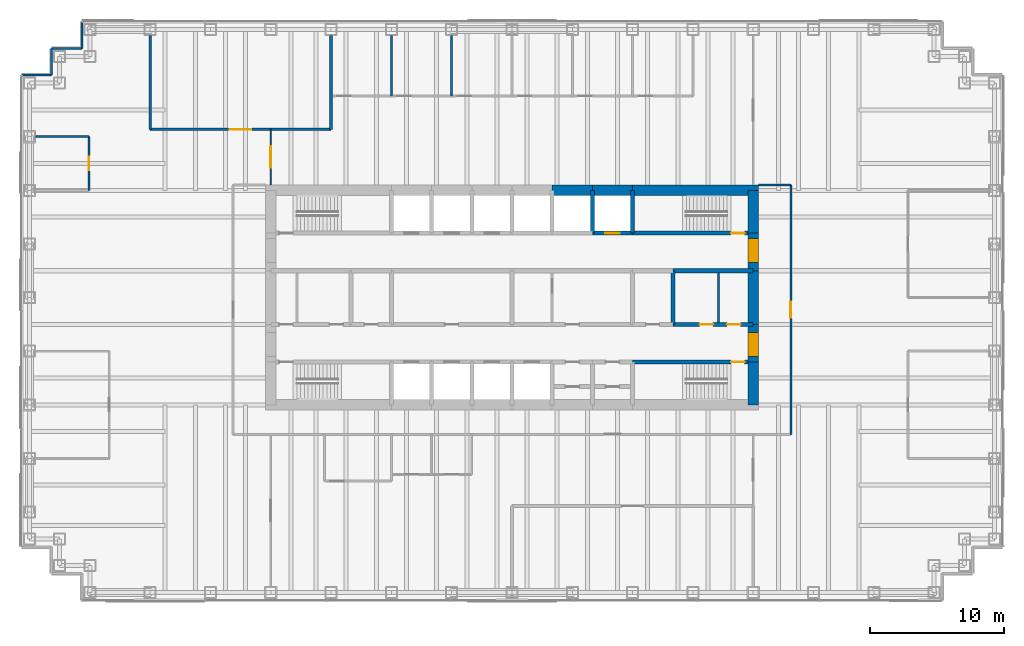
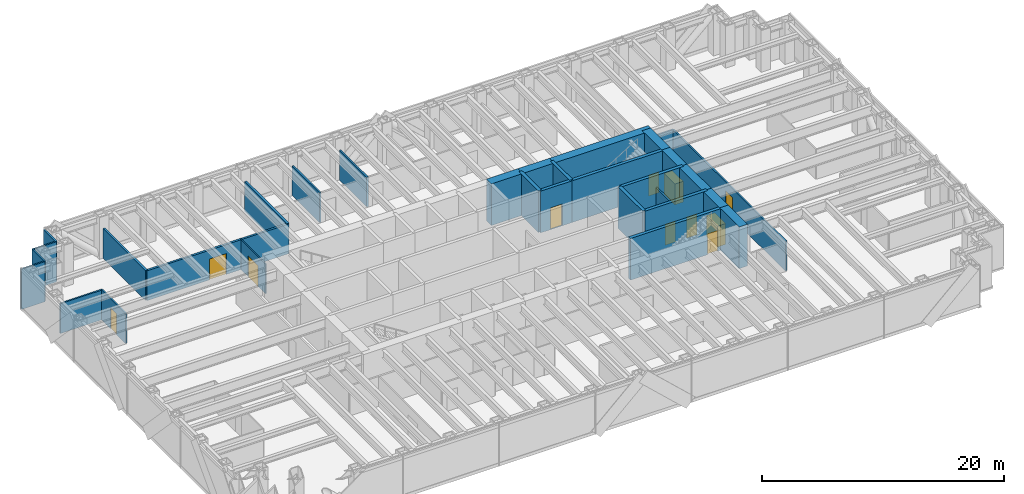
# One storey, part 12 of 14: 31 walls, 11 doors, 11 openings.
"""IFC4 building model written with IfcOpenShell, lengths in metres."""

import ifcopenshell
import ifcopenshell.guid

model = None  # the IFC model being written
_history = None  # IfcOwnerHistory: only IFC2X3 demands one
_inside = {}  # id of a spatial element -> (the spatial element, [elements in it])
_under = {}  # id of a project, library or spatial element -> (it, [spatial elements below it])
_declared = {}  # id of a project -> (the project, [libraries it declares])
_typed = {}  # id of a type object -> (the type object, [elements of that type])
_made_of = {}  # id of a material, layer set ... -> (it, [elements and type objects made of it])


def new_model(schema):
    """Start an empty IFC model of exactly this schema.

    Asked for "IFC4X3", IfcOpenShell would pick the latest addendum, in which some entities
    have other attributes; the version numbers below select the first issue.
    IFC2X3 requires an IfcOwnerHistory on every rooted entity: one is made here for all.
    """
    global model, _history
    if schema == "IFC4X3":
        model = ifcopenshell.file(schema_version=(4, 3, 0, 0))
    else:
        model = ifcopenshell.file(schema=schema)
    _inside.clear()
    _under.clear()
    _declared.clear()
    _typed.clear()
    _made_of.clear()
    _history = None
    if model.schema == "IFC2X3":
        org = make("IfcOrganization", Name="unknown")
        user = make(
            "IfcPersonAndOrganization",
            ThePerson=make("IfcPerson", FamilyName="unknown"),
            TheOrganization=org,
        )
        app = make(
            "IfcApplication",
            ApplicationDeveloper=org,
            Version="unknown",
            ApplicationFullName="unknown",
            ApplicationIdentifier="unknown",
        )
        _history = make(
            "IfcOwnerHistory",
            OwningUser=user,
            OwningApplication=app,
            ChangeAction="ADDED",
            CreationDate=0,
        )
    return model


def make(cls, **values):
    """One entity of the class cls with the attributes given. An attribute that is None is left unset."""
    return model.create_entity(
        cls, **{name: value for name, value in values.items() if value is not None}
    )


def rooted(cls, **values):
    """An entity with a GlobalId (a new one), such as an element, a storey or a relation."""
    return make(cls, GlobalId=ifcopenshell.guid.new(), OwnerHistory=_history, **values)


def si_unit(unit_type, name, prefix=None):
    """IfcSIUnit, for example si_unit("LENGTHUNIT", "METRE", prefix="MILLI")."""
    return make("IfcSIUnit", UnitType=unit_type, Prefix=prefix, Name=name)


def assignment(units):
    """IfcUnitAssignment: the units of a project."""
    return None if units is None else make("IfcUnitAssignment", Units=units)


def point(xyz):
    """IfcCartesianPoint."""
    return None if xyz is None else make("IfcCartesianPoint", Coordinates=xyz)


def direction(xyz):
    """IfcDirection."""
    return None if xyz is None else make("IfcDirection", DirectionRatios=xyz)


def frame(location, z_axis=None, x_axis=None):
    """IfcAxis2Placement3D, a coordinate frame: its origin and axes. An axis left out is left unset."""
    return make(
        "IfcAxis2Placement3D",
        Location=point(location),
        Axis=direction(z_axis),
        RefDirection=direction(x_axis),
    )


def frame_2d(location, x_axis=None):
    """IfcAxis2Placement2D, a coordinate frame in the plane: its origin and x axis."""
    return make(
        "IfcAxis2Placement2D", Location=point(location), RefDirection=direction(x_axis)
    )


def origin():
    """The frame at (0, 0, 0) with its axes left unset."""
    return frame((0.0, 0.0, 0.0))


def place(relative_to, where):
    """IfcLocalPlacement: puts the frame where relative to a parent placement (None: the world)."""
    return make(
        "IfcLocalPlacement", PlacementRelTo=relative_to, RelativePlacement=where
    )


def context(
    kind, dimensions, precision=None, world=None, true_north=None, identifier=None
):
    """IfcGeometricRepresentationContext, for example the 3D "Model" context."""
    return make(
        "IfcGeometricRepresentationContext",
        ContextIdentifier=identifier,
        ContextType=kind,
        CoordinateSpaceDimension=dimensions,
        Precision=precision,
        WorldCoordinateSystem=world,
        TrueNorth=true_north,
    )


def subcontext(parent, identifier, kind, view, scale=None):
    """IfcGeometricRepresentationSubContext, for example "Body" below "Model"."""
    return make(
        "IfcGeometricRepresentationSubContext",
        ContextIdentifier=identifier,
        ContextType=kind,
        ParentContext=parent,
        TargetScale=scale,
        TargetView=view,
    )


def project(units=None, contexts=None):
    """IfcProject with its units and contexts."""
    return rooted(
        "IfcProject",
        Name="project",
        RepresentationContexts=contexts,
        UnitsInContext=assignment(units),
    )


def spatial(cls, under=None, at=None, **own):
    """A site, building, storey or space (cls), placed at a placement, below another one or the project."""
    s = rooted(cls, ObjectPlacement=at, **own)
    if under is not None:
        _under.setdefault(under.id(), (under, []))[1].append(s)
    return s


def profile(cls, at=None, kind="AREA", **sizes):
    """A parametric profile (cls). Its sizes go by their IFC names, for example OverallWidth=200.0."""
    return make(cls, ProfileType=kind, Position=at, **sizes)


def rectangle(**sizes):
    """IfcRectangleProfileDef."""
    return profile("IfcRectangleProfileDef", **sizes)


def extrude(swept, where, along, depth):
    """IfcExtrudedAreaSolid: the profile swept, set in the frame where, extruded along a direction by depth."""
    return make(
        "IfcExtrudedAreaSolid",
        SweptArea=swept,
        Position=where,
        ExtrudedDirection=direction(along),
        Depth=depth,
    )


def shape(context_of_items, identifier, shape_type, items):
    """IfcShapeRepresentation: the items that make up one representation, for example the "Body"."""
    return make(
        "IfcShapeRepresentation",
        ContextOfItems=context_of_items,
        RepresentationIdentifier=identifier,
        RepresentationType=shape_type,
        Items=items,
    )


def material(Name=None, Category=None):
    """IfcMaterial."""
    return make("IfcMaterial", Name=Name, Category=Category)


def layer(
    of_material, thickness, ventilated=None, Name=None, Category=None, Priority=None
):
    """IfcMaterialLayer: one layer of a wall or slab, of a material (None: an air gap)."""
    return make(
        "IfcMaterialLayer",
        Material=of_material,
        LayerThickness=thickness,
        IsVentilated=ventilated,
        Name=Name,
        Category=Category,
        Priority=Priority,
    )


def layer_set(layers, Name=None):
    """IfcMaterialLayerSet."""
    return make("IfcMaterialLayerSet", MaterialLayers=layers, LayerSetName=Name)


def made_of(thing, what):
    """Note that an element or type object is made of a material, layer set ...; save() writes the relation."""
    if what is not None:
        _made_of.setdefault(what.id(), (what, []))[1].append(thing)
    return thing


def type_object(cls, material=None, **own):
    """A type object (cls), such as IfcWallType, which elements share."""
    return made_of(rooted(cls, **own), material)


def element(
    cls,
    number,
    at=None,
    inside=None,
    cuts=None,
    type_object=None,
    material=None,
    context=None,
    identifier="Body",
    shape_type=None,
    held_by="IfcProductDefinitionShape",
    body=None,
    shapes=None,
    **own,
):
    """One element of the class cls, such as IfcWall. Its Tag is "e" and its number.

    at: its placement. inside: the storey or other place that contains it. cuts: it is an
    opening in that element (IfcRelVoidsElement). A single representation is given by context,
    identifier, shape_type and body (its items); several are given by shapes. held_by: the class
    of the entity that holds the representations. save() writes the other relations.
    """
    e = rooted(cls, Tag="e%d" % number, ObjectPlacement=at, **own)
    if body is not None:
        shapes = [shape(context, identifier, shape_type, body)]
    if shapes is not None:
        e.Representation = make(held_by, Representations=shapes)
    if inside is not None:
        _inside.setdefault(inside.id(), (inside, []))[1].append(e)
    if cuts is not None:
        rooted(
            "IfcRelVoidsElement", RelatingBuildingElement=cuts, RelatedOpeningElement=e
        )
    if type_object is not None:
        _typed.setdefault(type_object.id(), (type_object, []))[1].append(e)
    return made_of(e, material)


def fill(opening, filler):
    """IfcRelFillsElement: the door or window that sits in an opening."""
    return rooted(
        "IfcRelFillsElement",
        RelatingOpeningElement=opening,
        RelatedBuildingElement=filler,
    )


def aggregate(whole, parts):
    """IfcRelAggregates: a whole, such as a stair, and the parts it consists of."""
    return rooted("IfcRelAggregates", RelatingObject=whole, RelatedObjects=parts)


def save(model, path):
    """Write the relations noted so far, then the file.

    IfcRelAggregates (storeys below a building ...), IfcRelContainedInSpatialStructure (elements
    in a storey), IfcRelDefinesByType, IfcRelAssociatesMaterial and IfcRelDeclares: one each for
    every whole, place, type object, material and project.
    """
    for whole, parts in _under.values():
        aggregate(whole, parts)
    for where, things in _inside.values():
        rooted(
            "IfcRelContainedInSpatialStructure",
            RelatedElements=things,
            RelatingStructure=where,
        )
    for kind, things in _typed.values():
        rooted("IfcRelDefinesByType", RelatedObjects=things, RelatingType=kind)
    for what, things in _made_of.values():
        rooted("IfcRelAssociatesMaterial", RelatedObjects=things, RelatingMaterial=what)
    for by, libraries in _declared.values():
        rooted("IfcRelDeclares", RelatingContext=by, RelatedDefinitions=libraries)
    model.write(path)


model = new_model("IFC4")

# Units and contexts
model_context = context("Model", 3, precision=1e-05, world=origin(), true_north=direction((0.0, 1.0)))
body_context = subcontext(model_context, "Body", "Model", "MODEL_VIEW")
ifc_project = project(units=[si_unit("LENGTHUNIT", "METRE"), si_unit("AREAUNIT", "SQUARE_METRE"), si_unit("VOLUMEUNIT", "CUBIC_METRE"), si_unit("PLANEANGLEUNIT", "RADIAN"), si_unit("MASSUNIT", "GRAM", prefix="KILO")], contexts=[model_context])

# Site, building, storey
site_placement = place(None, origin())
site = spatial("IfcSite", under=ifc_project, at=site_placement, CompositionType="ELEMENT")
building_placement = place(site_placement, origin())
building = spatial("IfcBuilding", under=site, at=building_placement, Name="Rheinbord Bourse Tower", CompositionType="ELEMENT")
storey_placement = place(building_placement, frame((0.0, 0.0, 240.39990234375)))
storey = spatial("IfcBuildingStorey", under=building, at=storey_placement, Name="L54", CompositionType="ELEMENT", Elevation=240.39990234375)

# Wall, opening, door
ifc_material_1 = material(Name="Acoustic gypsum board partition", Category="gypsum board")
ifc_layer_1 = layer(ifc_material_1, 0.199951171875)
ifc_layer_set_1 = layer_set([ifc_layer_1], Name="ACOUSTIC PARTITION 200")
wall_type_1 = type_object("IfcWallType", Name="ACOUSTIC PARTITION 200", PredefinedType="PARTITIONING", material=ifc_layer_set_1)
wall_1_placement = place(storey_placement, frame((9.0, 36.550048828125, 0.0), z_axis=(0.0, 0.0, 1.0), x_axis=(1.0, 0.0, 0.0)))
wall_1 = element("IfcWall", 1, at=wall_1_placement, inside=storey, type_object=wall_type_1, Name="Partition L54-17", PredefinedType="PARTITIONING", context=body_context, shape_type="SweptSolid", body=[
    extrude(rectangle(XDim=13.5, YDim=0.199951171875, at=frame_2d((6.75, 0.0))), origin(), (0.0, 0.0, 1.0), 3.0),
])
opening_1_placement = place(wall_1_placement, frame((5.949951171875, 0.0, 0.0)))
opening_1 = element("IfcOpeningElement", 2, at=opening_1_placement, cuts=wall_1, Name="Opening 54D09", PredefinedType="OPENING", context=body_context, shape_type="SweptSolid", body=[
    extrude(rectangle(XDim=1.60009765625, YDim=2.10009765625, at=frame_2d((0.800048828125, 1.050048828125))), frame((0.0, 0.10986328125, 0.0), z_axis=(0.0, -1.0, 0.0), x_axis=(1.0, 0.0, 0.0)), (0.0, 0.0, 1.0), 0.219970703125),
])
ifc_material_2 = material(Name="Timber door", Category="wood")
door_type_1 = type_object("IfcDoorType", Name="DOUBLE ROOM DOOR 1600", OperationType="DOUBLE_DOOR_DOUBLE_SWING", PredefinedType="DOOR", material=ifc_material_2)
door_1_placement = place(opening_1_placement, origin())
door_1 = element("IfcDoor", 3, at=door_1_placement, inside=storey, type_object=door_type_1, Name="Board room door L54", OperationType="SINGLE_SWING_LEFT", OverallHeight=2.10009765625, OverallWidth=1.60009765625, PredefinedType="DOOR", context=body_context, shape_type="SweptSolid", body=[
    extrude(rectangle(XDim=1.60009765625, YDim=2.10009765625, at=frame_2d((0.800048828125, 1.050048828125))), frame((0.0, 0.02490234375, 0.0), z_axis=(0.0, -1.0, 0.0), x_axis=(1.0, 0.0, 0.0)), (0.0, 0.0, 1.0), 0.050048828125),
])
fill(opening_1, door_1)

# Walls
for number, where, z_axis, x_axis, name in (
    (4, (9.0, 36.550048828125, 0.0), (0.0, 0.0, 1.0), (0.0, 1.0, 0.0), "Partition L54-21"),
    (5, (22.5, 36.550048828125, 0.0), (0.0, 0.0, 1.0), (0.0, 1.0, 0.0), "Partition L54-26"),
):
    element("IfcWall", number, at=place(storey_placement, frame(where, z_axis=z_axis, x_axis=x_axis)), inside=storey, type_object=wall_type_1, Name=name, PredefinedType="PARTITIONING", context=body_context, shape_type="SweptSolid", body=[
        extrude(rectangle(XDim=7.0, YDim=0.199951171875, at=frame_2d((3.5, 0.0))), origin(), (0.0, 0.0, 1.0), 3.0),
    ])

# Wall, opening, door
ifc_material_3 = material(Name="Concrete C50/60", Category="concrete")
ifc_layer_2 = layer(ifc_material_3, 0.300048828125)
ifc_layer_set_2 = layer_set([ifc_layer_2], Name="CORE INNER WALL 300")
wall_type_2 = type_object("IfcWallType", Name="CORE INNER WALL 300", PredefinedType="SOLIDWALL", material=ifc_layer_set_2)
wall_2_placement = place(storey_placement, frame((45.0, 19.199951171875, 0.0), z_axis=(0.0, 0.0, 1.0), x_axis=(1.0, 0.0, 0.0)))
wall_2 = element("IfcWall", 6, at=wall_2_placement, inside=storey, type_object=wall_type_2, Name="Core wall A8 L54", PredefinedType="SOLIDWALL", context=body_context, shape_type="SweptSolid", body=[
    extrude(rectangle(XDim=9.0, YDim=0.300048828125, at=frame_2d((4.5, 0.0))), origin(), (0.0, 0.0, 1.0), 4.2001953125),
])
opening_2_placement = place(wall_2_placement, frame((7.35009765625, 0.0, 0.0)))
opening_2 = element("IfcOpeningElement", 7, at=opening_2_placement, cuts=wall_2, Name="Opening 5430", PredefinedType="OPENING", context=body_context, shape_type="SweptSolid", body=[
    extrude(rectangle(XDim=1.0, YDim=2.10009765625, at=frame_2d((0.5, 1.050048828125))), frame((0.0, 0.159912109375, 0.0), z_axis=(0.0, -1.0, 0.0), x_axis=(1.0, 0.0, 0.0)), (0.0, 0.0, 1.0), 0.320068359375),
])
ifc_material_4 = material(Name="Steel door", Category="steel")
door_type_2 = type_object("IfcDoorType", Name="DOOR 1000 EI30", OperationType="SINGLE_SWING_LEFT", PredefinedType="DOOR", material=ifc_material_4)
door_2_placement = place(opening_2_placement, origin())
door_2 = element("IfcDoor", 8, at=door_2_placement, inside=storey, type_object=door_type_2, Name="Stair door ST3 L54", OperationType="SINGLE_SWING_RIGHT", OverallHeight=2.10009765625, OverallWidth=1.0, PredefinedType="DOOR", context=body_context, shape_type="SweptSolid", body=[
    extrude(rectangle(XDim=1.0, YDim=2.10009765625, at=frame_2d((0.5, 1.050048828125))), frame((0.0, 0.02490234375, 0.0), z_axis=(0.0, -1.0, 0.0), x_axis=(1.0, 0.0, 0.0)), (0.0, 0.0, 1.0), 0.050048828125),
])
fill(opening_2, door_2)

wall_3_placement = place(storey_placement, frame((42.0, 28.800048828125, 0.0), z_axis=(0.0, 0.0, 1.0), x_axis=(1.0, 0.0, 0.0)))
wall_3 = element("IfcWall", 9, at=wall_3_placement, inside=storey, type_object=wall_type_2, Name="Core wall B7 L54", PredefinedType="SOLIDWALL", context=body_context, shape_type="SweptSolid", body=[
    extrude(rectangle(XDim=3.0, YDim=0.300048828125, at=frame_2d((1.5, 0.0))), origin(), (0.0, 0.0, 1.0), 4.2001953125),
])
opening_3_placement = place(wall_3_placement, frame((0.949951171875, 0.0, 0.0)))
opening_3 = element("IfcOpeningElement", 10, at=opening_3_placement, cuts=wall_3, Name="Opening FL2", PredefinedType="OPENING", context=body_context, shape_type="SweptSolid", body=[
    extrude(rectangle(XDim=1.10009765625, YDim=2.199951171875, at=frame_2d((0.550048828125, 1.10009765625))), frame((0.0, 0.159912109375, 0.0), z_axis=(0.0, -1.0, 0.0), x_axis=(1.0, 0.0, 0.0)), (0.0, 0.0, 1.0), 0.320068359375),
])
ifc_material_5 = material(Name="Steel landing door", Category="steel")
door_type_3 = type_object("IfcDoorType", Name="LIFT LANDING DOOR 1100", OperationType="DOUBLE_DOOR_SLIDING", PredefinedType="USERDEFINED", material=ifc_material_5)
door_3_placement = place(opening_3_placement, origin())
door_3 = element("IfcDoor", 11, at=door_3_placement, inside=storey, type_object=door_type_3, Name="Lift landing door FL2 L54", ObjectType="LIFT LANDING DOOR", OperationType="DOUBLE_DOOR_SLIDING", OverallHeight=2.199951171875, OverallWidth=1.10009765625, PredefinedType="USERDEFINED", context=body_context, shape_type="SweptSolid", body=[
    extrude(rectangle(XDim=1.10009765625, YDim=2.199951171875, at=frame_2d((0.550048828125, 1.10009765625))), frame((0.0, 0.02490234375, 0.0), z_axis=(0.0, -1.0, 0.0), x_axis=(1.0, 0.0, 0.0)), (0.0, 0.0, 1.0), 0.050048828125),
])
fill(opening_3, door_3)

wall_4_placement = place(storey_placement, frame((45.0, 28.800048828125, 0.0), z_axis=(0.0, 0.0, 1.0), x_axis=(1.0, 0.0, 0.0)))
wall_4 = element("IfcWall", 12, at=wall_4_placement, inside=storey, type_object=wall_type_2, Name="Core wall B8 L54", PredefinedType="SOLIDWALL", context=body_context, shape_type="SweptSolid", body=[
    extrude(rectangle(XDim=9.0, YDim=0.300048828125, at=frame_2d((4.5, 0.0))), origin(), (0.0, 0.0, 1.0), 4.2001953125),
])
opening_4_placement = place(wall_4_placement, frame((7.35009765625, 0.0, 0.0)))
opening_4 = element("IfcOpeningElement", 13, at=opening_4_placement, cuts=wall_4, Name="Opening 5440", PredefinedType="OPENING", context=body_context, shape_type="SweptSolid", body=[
    extrude(rectangle(XDim=1.0, YDim=2.10009765625, at=frame_2d((0.5, 1.050048828125))), frame((0.0, 0.159912109375, 0.0), z_axis=(0.0, -1.0, 0.0), x_axis=(1.0, 0.0, 0.0)), (0.0, 0.0, 1.0), 0.320068359375),
])
door_4_placement = place(opening_4_placement, origin())
door_4 = element("IfcDoor", 14, at=door_4_placement, inside=storey, type_object=door_type_2, Name="Stair door ST4 L54", OperationType="SINGLE_SWING_RIGHT", OverallHeight=2.10009765625, OverallWidth=1.0, PredefinedType="DOOR", context=body_context, shape_type="SweptSolid", body=[
    extrude(rectangle(XDim=1.0, YDim=2.10009765625, at=frame_2d((0.5, 1.050048828125))), frame((0.0, 0.02490234375, 0.0), z_axis=(0.0, -1.0, 0.0), x_axis=(1.0, 0.0, 0.0)), (0.0, 0.0, 1.0), 0.050048828125),
])
fill(opening_4, door_4)

# Wall, openings, doors
wall_5_placement = place(storey_placement, frame((48.0, 22.0, 0.0), z_axis=(0.0, 0.0, 1.0), x_axis=(1.0, 0.0, 0.0)))
wall_5 = element("IfcWall", 15, at=wall_5_placement, inside=storey, type_object=wall_type_2, Name="Core wall C6 L54", PredefinedType="SOLIDWALL", context=body_context, shape_type="SweptSolid", body=[
    extrude(rectangle(XDim=6.0, YDim=0.300048828125, at=frame_2d((3.0, 0.0))), origin(), (0.0, 0.0, 1.0), 4.2001953125),
])
opening_5_placement = place(wall_5_placement, frame((2.0, 0.0, 0.0)))
opening_5 = element("IfcOpeningElement", 16, at=opening_5_placement, cuts=wall_5, Name="Opening 54R6", PredefinedType="OPENING", context=body_context, shape_type="SweptSolid", body=[
    extrude(rectangle(XDim=1.0, YDim=2.10009765625, at=frame_2d((0.5, 1.050048828125))), frame((0.0, 0.159912109375, 0.0), z_axis=(0.0, -1.0, 0.0), x_axis=(1.0, 0.0, 0.0)), (0.0, 0.0, 1.0), 0.320068359375),
])
opening_6_placement = place(wall_5_placement, frame((4.050048828125, 0.0, 0.0)))
opening_6 = element("IfcOpeningElement", 17, at=opening_6_placement, cuts=wall_5, Name="Opening 54R10", PredefinedType="OPENING", context=body_context, shape_type="SweptSolid", body=[
    extrude(rectangle(XDim=1.0, YDim=2.10009765625, at=frame_2d((0.5, 1.050048828125))), frame((0.0, 0.159912109375, 0.0), z_axis=(0.0, -1.0, 0.0), x_axis=(1.0, 0.0, 0.0)), (0.0, 0.0, 1.0), 0.320068359375),
])
door_5_placement = place(opening_6_placement, origin())
door_5 = element("IfcDoor", 18, at=door_5_placement, inside=storey, type_object=door_type_2, Name="Baby change door L54", OperationType="SINGLE_SWING_RIGHT", OverallHeight=2.10009765625, OverallWidth=1.0, PredefinedType="DOOR", context=body_context, shape_type="SweptSolid", body=[
    extrude(rectangle(XDim=1.0, YDim=2.10009765625, at=frame_2d((0.5, 1.050048828125))), frame((0.0, 0.02490234375, 0.0), z_axis=(0.0, -1.0, 0.0), x_axis=(1.0, 0.0, 0.0)), (0.0, 0.0, 1.0), 0.050048828125),
])
fill(opening_6, door_5)
ifc_material_6 = material(Name="Timber door", Category="wood")
door_type_4 = type_object("IfcDoorType", Name="DOOR 1000 WC", OperationType="SINGLE_SWING_LEFT", PredefinedType="DOOR", material=ifc_material_6)
door_6_placement = place(opening_5_placement, origin())
door_6 = element("IfcDoor", 19, at=door_6_placement, inside=storey, type_object=door_type_4, Name="WC women door L54", OperationType="SINGLE_SWING_LEFT", OverallHeight=2.10009765625, OverallWidth=1.0, PredefinedType="DOOR", context=body_context, shape_type="SweptSolid", body=[
    extrude(rectangle(XDim=1.0, YDim=2.10009765625, at=frame_2d((0.5, 1.050048828125))), frame((0.0, 0.02490234375, 0.0), z_axis=(0.0, -1.0, 0.0), x_axis=(1.0, 0.0, 0.0)), (0.0, 0.0, 1.0), 0.050048828125),
])
fill(opening_5, door_6)

# Walls
wall_6_placement = place(storey_placement, frame((48.0, 26.0, 0.0), z_axis=(0.0, 0.0, 1.0), x_axis=(1.0, 0.0, 0.0)))
element("IfcWall", 20, at=wall_6_placement, inside=storey, type_object=wall_type_2, Name="Core wall D6 L54", PredefinedType="SOLIDWALL", context=body_context, shape_type="SweptSolid", body=[
    extrude(rectangle(XDim=6.0, YDim=0.300048828125, at=frame_2d((3.0, 0.0))), origin(), (0.0, 0.0, 1.0), 4.2001953125),
])
for number, where, z_axis, x_axis, name in (
    (21, (42.0, 28.800048828125, 0.0), (0.0, 0.0, 1.0), (0.0, 1.0, 0.0), "Core wall NX42 L54"),
    (22, (45.0, 28.800048828125, 0.0), (0.0, 0.0, 1.0), (0.0, 1.0, 0.0), "Core wall NX45 L54"),
):
    element("IfcWall", number, at=place(storey_placement, frame(where, z_axis=z_axis, x_axis=x_axis)), inside=storey, type_object=wall_type_2, Name=name, PredefinedType="SOLIDWALL", context=body_context, shape_type="SweptSolid", body=[
        extrude(rectangle(XDim=3.199951171875, YDim=0.300048828125, at=frame_2d((1.60009765625, 0.0))), origin(), (0.0, 0.0, 1.0), 4.2001953125),
    ])
wall_7_placement = place(storey_placement, frame((48.0, 22.0, 0.0), z_axis=(0.0, 0.0, 1.0), x_axis=(0.0, 1.0, 0.0)))
element("IfcWall", 23, at=wall_7_placement, inside=storey, type_object=wall_type_2, Name="Core wall MX48 L54", PredefinedType="SOLIDWALL", context=body_context, shape_type="SweptSolid", body=[
    extrude(rectangle(XDim=4.0, YDim=0.300048828125, at=frame_2d((2.0, 0.0))), origin(), (0.0, 0.0, 1.0), 4.2001953125),
])
ifc_material_7 = material(Name="Gypsum board fire partition", Category="gypsum board")
ifc_layer_3 = layer(ifc_material_7, 0.14990234375)
ifc_layer_set_3 = layer_set([ifc_layer_3], Name="CORE PARTITION 150 EI30")
wall_type_3 = type_object("IfcWallType", Name="CORE PARTITION 150 EI30", PredefinedType="PARTITIONING", material=ifc_layer_set_3)
wall_8_placement = place(storey_placement, frame((51.425048828125, 22.14990234375, 0.0), z_axis=(0.0, 0.0, 1.0), x_axis=(0.0, 1.0, 0.0)))
element("IfcWall", 24, at=wall_8_placement, inside=storey, type_object=wall_type_3, Name="Core partition L54-3", PredefinedType="PARTITIONING", context=body_context, shape_type="SweptSolid", body=[
    extrude(rectangle(XDim=3.7001953125, YDim=0.14990234375, at=frame_2d((1.85009765625, 0.0))), origin(), (0.0, 0.0, 1.0), 3.0),
])
ifc_material_8 = material(Name="Concrete C50/60", Category="concrete")
ifc_layer_4 = layer(ifc_material_8, 0.800048828125)
ifc_layer_set_4 = layer_set([ifc_layer_4], Name="CORE WALL 800")
wall_type_4 = type_object("IfcWallType", Name="CORE WALL 800", PredefinedType="SHEAR", material=ifc_layer_set_4)
wall_9_placement = place(storey_placement, frame((54.39990234375, 32.0, 0.0), z_axis=(0.0, 0.0, 1.0), x_axis=(-1.0, 0.0, 0.0)))
element("IfcWall", 25, at=wall_9_placement, inside=storey, type_object=wall_type_4, Name="Core wall N1 L54", PredefinedType="SHEAR", context=body_context, shape_type="SweptSolid", body=[
    extrude(rectangle(XDim=9.39990234375, YDim=0.800048828125, at=frame_2d((4.699951171875, 0.0))), origin(), (0.0, 0.0, 1.0), 4.2001953125),
])
for number, where, z_axis, x_axis, name in (
    (26, (45.0, 32.0, 0.0), (0.0, 0.0, 1.0), (-1.0, 0.0, 0.0), "Core wall N2 L54"),
    (27, (42.0, 32.0, 0.0), (0.0, 0.0, 1.0), (-1.0, 0.0, 0.0), "Core wall N3 L54"),
):
    element("IfcWall", number, at=place(storey_placement, frame(where, z_axis=z_axis, x_axis=x_axis)), inside=storey, type_object=wall_type_4, Name=name, PredefinedType="SHEAR", context=body_context, shape_type="SweptSolid", body=[
        extrude(rectangle(XDim=3.0, YDim=0.800048828125, at=frame_2d((1.5, 0.0))), origin(), (0.0, 0.0, 1.0), 4.2001953125),
    ])
wall_10_placement = place(storey_placement, frame((54.0, 16.0, 0.0), z_axis=(0.0, 0.0, 1.0), x_axis=(0.0, 1.0, 0.0)))
element("IfcWall", 28, at=wall_10_placement, inside=storey, type_object=wall_type_4, Name="Core wall E1 L54", PredefinedType="SHEAR", context=body_context, shape_type="SweptSolid", body=[
    extrude(rectangle(XDim=3.199951171875, YDim=0.800048828125, at=frame_2d((1.60009765625, 0.0))), origin(), (0.0, 0.0, 1.0), 4.2001953125),
])

# Wall, opening, door
wall_11_placement = place(storey_placement, frame((54.0, 19.199951171875, 0.0), z_axis=(0.0, 0.0, 1.0), x_axis=(0.0, 1.0, 0.0)))
wall_11 = element("IfcWall", 29, at=wall_11_placement, inside=storey, type_object=wall_type_4, Name="Core wall E2 L54", PredefinedType="SHEAR", context=body_context, shape_type="SweptSolid", body=[
    extrude(rectangle(XDim=2.800048828125, YDim=0.800048828125, at=frame_2d((1.39990234375, 0.0))), origin(), (0.0, 0.0, 1.0), 4.2001953125),
])
opening_7_placement = place(wall_11_placement, frame((0.39990234375, 0.0, 0.0)))
opening_7 = element("IfcOpeningElement", 30, at=opening_7_placement, cuts=wall_11, Name="Opening 54L3", PredefinedType="OPENING", context=body_context, shape_type="SweptSolid", body=[
    extrude(rectangle(XDim=1.800048828125, YDim=2.10009765625, at=frame_2d((0.89990234375, 1.050048828125))), frame((0.0, 0.409912109375, 0.0), z_axis=(0.0, -1.0, 0.0), x_axis=(1.0, 0.0, 0.0)), (0.0, 0.0, 1.0), 0.820068359375),
])
ifc_material_9 = material(Name="Steel door", Category="steel")
door_type_5 = type_object("IfcDoorType", Name="DOOR 1800 EI30 DOUBLE", OperationType="DOUBLE_DOOR_DOUBLE_SWING", PredefinedType="DOOR", material=ifc_material_9)
door_7_placement = place(opening_7_placement, origin())
door_7 = element("IfcDoor", 31, at=door_7_placement, inside=storey, type_object=door_type_5, Name="Lobby door 3 L54", OperationType="SINGLE_SWING_LEFT", OverallHeight=2.10009765625, OverallWidth=1.800048828125, PredefinedType="DOOR", context=body_context, shape_type="SweptSolid", body=[
    extrude(rectangle(XDim=1.800048828125, YDim=2.10009765625, at=frame_2d((0.89990234375, 1.050048828125))), frame((0.0, 0.39990234375, 0.0), z_axis=(0.0, -1.0, 0.0), x_axis=(1.0, 0.0, 0.0)), (0.0, 0.0, 1.0), 0.799560546875),
])
fill(opening_7, door_7)

# Wall
wall_12_placement = place(storey_placement, frame((54.0, 22.0, 0.0), z_axis=(0.0, 0.0, 1.0), x_axis=(0.0, 1.0, 0.0)))
element("IfcWall", 32, at=wall_12_placement, inside=storey, type_object=wall_type_4, Name="Core wall E3 L54", PredefinedType="SHEAR", context=body_context, shape_type="SweptSolid", body=[
    extrude(rectangle(XDim=4.0, YDim=0.800048828125, at=frame_2d((2.0, 0.0))), origin(), (0.0, 0.0, 1.0), 4.2001953125),
])

# Wall, opening, door
wall_13_placement = place(storey_placement, frame((54.0, 26.0, 0.0), z_axis=(0.0, 0.0, 1.0), x_axis=(0.0, 1.0, 0.0)))
wall_13 = element("IfcWall", 33, at=wall_13_placement, inside=storey, type_object=wall_type_4, Name="Core wall E4 L54", PredefinedType="SHEAR", context=body_context, shape_type="SweptSolid", body=[
    extrude(rectangle(XDim=2.800048828125, YDim=0.800048828125, at=frame_2d((1.39990234375, 0.0))), origin(), (0.0, 0.0, 1.0), 4.2001953125),
])
opening_8_placement = place(wall_13_placement, frame((0.60009765625, 0.0, 0.0)))
opening_8 = element("IfcOpeningElement", 34, at=opening_8_placement, cuts=wall_13, Name="Opening 54L4", PredefinedType="OPENING", context=body_context, shape_type="SweptSolid", body=[
    extrude(rectangle(XDim=1.800048828125, YDim=2.10009765625, at=frame_2d((0.89990234375, 1.050048828125))), frame((0.0, 0.409912109375, 0.0), z_axis=(0.0, -1.0, 0.0), x_axis=(1.0, 0.0, 0.0)), (0.0, 0.0, 1.0), 0.820068359375),
])
door_8_placement = place(opening_8_placement, origin())
door_8 = element("IfcDoor", 35, at=door_8_placement, inside=storey, type_object=door_type_5, Name="Lobby door 4 L54", OperationType="SINGLE_SWING_LEFT", OverallHeight=2.10009765625, OverallWidth=1.800048828125, PredefinedType="DOOR", context=body_context, shape_type="SweptSolid", body=[
    extrude(rectangle(XDim=1.800048828125, YDim=2.10009765625, at=frame_2d((0.89990234375, 1.050048828125))), frame((0.0, 0.39990234375, 0.0), z_axis=(0.0, -1.0, 0.0), x_axis=(1.0, 0.0, 0.0)), (0.0, 0.0, 1.0), 0.799560546875),
])
fill(opening_8, door_8)

# Walls
wall_14_placement = place(storey_placement, frame((54.0, 28.800048828125, 0.0), z_axis=(0.0, 0.0, 1.0), x_axis=(0.0, 1.0, 0.0)))
element("IfcWall", 36, at=wall_14_placement, inside=storey, type_object=wall_type_4, Name="Core wall E5 L54", PredefinedType="SHEAR", context=body_context, shape_type="SweptSolid", body=[
    extrude(rectangle(XDim=3.199951171875, YDim=0.800048828125, at=frame_2d((1.60009765625, 0.0))), origin(), (0.0, 0.0, 1.0), 4.2001953125),
])
ifc_material_10 = material(Name="Black metal rainscreen panel", Category="aluminium")
ifc_layer_5 = layer(ifc_material_10, 0.14990234375)
ifc_layer_set_5 = layer_set([ifc_layer_5], Name="CORNER PIER CLADDING 150")
wall_type_5 = type_object("IfcWallType", Name="CORNER PIER CLADDING 150", PredefinedType="ELEMENTEDWALL", material=ifc_layer_set_5)
wall_15_placement = place(storey_placement, frame((3.89990234375, 44.60009765625, 0.0), z_axis=(0.0, 0.0, 1.0), x_axis=(0.0, -1.0, 0.0)))
element("IfcWall", 37, at=wall_15_placement, inside=storey, type_object=wall_type_5, Name="Corner pier cladding L54 12", PredefinedType="ELEMENTEDWALL", context=body_context, shape_type="SweptSolid", body=[
    extrude(rectangle(XDim=2.0, YDim=0.14990234375, at=frame_2d((1.0, 0.0))), origin(), (0.0, 0.0, 1.0), 4.0400390625),
])
wall_16_placement = place(storey_placement, frame((3.89990234375, 42.60009765625, 0.0), z_axis=(0.0, 0.0, 1.0), x_axis=(-1.0, 0.0, 0.0)))
element("IfcWall", 38, at=wall_16_placement, inside=storey, type_object=wall_type_5, Name="Corner pier cladding L54 13", PredefinedType="ELEMENTEDWALL", context=body_context, shape_type="SweptSolid", body=[
    extrude(rectangle(XDim=2.25, YDim=0.14990234375, at=frame_2d((1.125, 0.0))), origin(), (0.0, 0.0, 1.0), 4.0400390625),
])
wall_17_placement = place(storey_placement, frame((1.64990234375, 42.60009765625, 0.0), z_axis=(0.0, 0.0, 1.0), x_axis=(0.0, -1.0, 0.0)))
element("IfcWall", 39, at=wall_17_placement, inside=storey, type_object=wall_type_5, Name="Corner pier cladding L54 14", PredefinedType="ELEMENTEDWALL", context=body_context, shape_type="SweptSolid", body=[
    extrude(rectangle(XDim=2.0, YDim=0.14990234375, at=frame_2d((1.0, 0.0))), origin(), (0.0, 0.0, 1.0), 4.0400390625),
])
wall_18_placement = place(storey_placement, frame((1.64990234375, 40.60009765625, 0.0), z_axis=(0.0, 0.0, 1.0), x_axis=(-1.0, 0.0, 0.0)))
element("IfcWall", 40, at=wall_18_placement, inside=storey, type_object=wall_type_5, Name="Corner pier cladding L54 15", PredefinedType="ELEMENTEDWALL", context=body_context, shape_type="SweptSolid", body=[
    extrude(rectangle(XDim=2.25, YDim=0.14990234375, at=frame_2d((1.125, 0.0))), origin(), (0.0, 0.0, 1.0), 4.0400390625),
])
ifc_material_11 = material(Name="Gypsum board corridor partition", Category="gypsum board")
ifc_layer_6 = layer(ifc_material_11, 0.14990234375)
ifc_layer_set_6 = layer_set([ifc_layer_6], Name="CORRIDOR PARTITION 150 EI30")
wall_type_6 = type_object("IfcWallType", Name="CORRIDOR PARTITION 150 EI30", PredefinedType="PARTITIONING", material=ifc_layer_set_6)
wall_19_placement = place(storey_placement, frame((54.39990234375, 32.39990234375, 0.0), z_axis=(0.0, 0.0, 1.0), x_axis=(1.0, 0.0, 0.0)))
element("IfcWall", 41, at=wall_19_placement, inside=storey, type_object=wall_type_6, Name="Partition L54-15", PredefinedType="PARTITIONING", context=body_context, shape_type="SweptSolid", body=[
    extrude(rectangle(XDim=2.400146484375, YDim=0.14990234375, at=frame_2d((1.2001953125, 0.0))), origin(), (0.0, 0.0, 1.0), 3.0),
])

# Wall, opening, door
wall_20_placement = place(storey_placement, frame((56.800048828125, 13.800048828125, 0.0), z_axis=(0.0, 0.0, 1.0), x_axis=(0.0, 1.0, 0.0)))
wall_20 = element("IfcWall", 42, at=wall_20_placement, inside=storey, type_object=wall_type_6, Name="Partition L54-40", PredefinedType="PARTITIONING", context=body_context, shape_type="SweptSolid", body=[
    extrude(rectangle(XDim=18.599853515625, YDim=0.14990234375, at=frame_2d((9.2998046875, 0.0))), origin(), (0.0, 0.0, 1.0), 3.0),
])
opening_9_placement = place(wall_20_placement, frame((8.699951171875, 0.0, 0.0)))
opening_9 = element("IfcOpeningElement", 43, at=opening_9_placement, cuts=wall_20, Name="Opening 54D21", PredefinedType="OPENING", context=body_context, shape_type="SweptSolid", body=[
    extrude(rectangle(XDim=1.199951171875, YDim=2.10009765625, at=frame_2d((0.60009765625, 1.050048828125))), frame((0.0, 0.0849609375, 0.0), z_axis=(0.0, -1.0, 0.0), x_axis=(1.0, 0.0, 0.0)), (0.0, 0.0, 1.0), 0.169921875),
])
ifc_material_12 = material(Name="Timber fire door", Category="wood")
door_type_6 = type_object("IfcDoorType", Name="SUITE ENTRANCE DOOR 1200 EI30", OperationType="SINGLE_SWING_LEFT", PredefinedType="DOOR", material=ifc_material_12)
door_9_placement = place(opening_9_placement, origin())
door_9 = element("IfcDoor", 44, at=door_9_placement, inside=storey, type_object=door_type_6, Name="Suite entrance 2 door L54", OperationType="SINGLE_SWING_LEFT", OverallHeight=2.10009765625, OverallWidth=1.199951171875, PredefinedType="DOOR", context=body_context, shape_type="SweptSolid", body=[
    extrude(rectangle(XDim=1.199951171875, YDim=2.10009765625, at=frame_2d((0.60009765625, 1.050048828125))), frame((0.0, 0.02490234375, 0.0), z_axis=(0.0, -1.0, 0.0), x_axis=(1.0, 0.0, 0.0)), (0.0, 0.0, 1.0), 0.050048828125),
])
fill(opening_9, door_9)

ifc_material_13 = material(Name="Toughened laminated glass partition", Category="glass")
ifc_layer_7 = layer(ifc_material_13, 0.10009765625)
ifc_layer_set_7 = layer_set([ifc_layer_7], Name="GLAZED PARTITION 100")
wall_type_7 = type_object("IfcWallType", Name="GLAZED PARTITION 100", PredefinedType="PARTITIONING", material=ifc_layer_set_7)
wall_21_placement = place(storey_placement, frame((18.0, 32.39990234375, 0.0), z_axis=(0.0, 0.0, 1.0), x_axis=(0.0, 1.0, 0.0)))
wall_21 = element("IfcWall", 45, at=wall_21_placement, inside=storey, type_object=wall_type_7, Name="Partition L54-24", PredefinedType="PARTITIONING", context=body_context, shape_type="SweptSolid", body=[
    extrude(rectangle(XDim=4.150146484375, YDim=0.10009765625, at=frame_2d((2.0751953125, 0.0))), origin(), (0.0, 0.0, 1.0), 3.0),
])
opening_10_placement = place(wall_21_placement, frame((1.27490234375, 0.0, 0.0)))
opening_10 = element("IfcOpeningElement", 46, at=opening_10_placement, cuts=wall_21, Name="Opening 54D17", PredefinedType="OPENING", context=body_context, shape_type="SweptSolid", body=[
    extrude(rectangle(XDim=1.60009765625, YDim=2.10009765625, at=frame_2d((0.800048828125, 1.050048828125))), frame((0.0, 0.06005859375, 0.0), z_axis=(0.0, -1.0, 0.0), x_axis=(1.0, 0.0, 0.0)), (0.0, 0.0, 1.0), 0.1201171875),
])
door_10_placement = place(opening_10_placement, origin())
door_10 = element("IfcDoor", 47, at=door_10_placement, inside=storey, type_object=door_type_1, Name="Open area door L54", OperationType="SINGLE_SWING_LEFT", OverallHeight=2.10009765625, OverallWidth=1.60009765625, PredefinedType="DOOR", context=body_context, shape_type="SweptSolid", body=[
    extrude(rectangle(XDim=1.60009765625, YDim=2.10009765625, at=frame_2d((0.800048828125, 1.050048828125))), frame((0.0, 0.02490234375, 0.0), z_axis=(0.0, -1.0, 0.0), x_axis=(1.0, 0.0, 0.0)), (0.0, 0.0, 1.0), 0.050048828125),
])
fill(opening_10, door_10)

# Wall
ifc_material_14 = material(Name="Gypsum board partition", Category="gypsum board")
ifc_layer_8 = layer(ifc_material_14, 0.14990234375)
ifc_layer_set_8 = layer_set([ifc_layer_8], Name="PARTITION 150")
wall_type_8 = type_object("IfcWallType", Name="PARTITION 150", PredefinedType="PARTITIONING", material=ifc_layer_set_8)
wall_22_placement = place(storey_placement, frame((0.449951171875, 36.0, 0.0), z_axis=(0.0, 0.0, 1.0), x_axis=(1.0, 0.0, 0.0)))
element("IfcWall", 48, at=wall_22_placement, inside=storey, type_object=wall_type_8, Name="Partition L54-16", PredefinedType="PARTITIONING", context=body_context, shape_type="SweptSolid", body=[
    extrude(rectangle(XDim=4.0, YDim=0.14990234375, at=frame_2d((2.0, 0.0))), origin(), (0.0, 0.0, 1.0), 3.0),
])

# Wall, opening, door
wall_23_placement = place(storey_placement, frame((4.449951171875, 32.0, 0.0), z_axis=(0.0, 0.0, 1.0), x_axis=(0.0, 1.0, 0.0)))
wall_23 = element("IfcWall", 49, at=wall_23_placement, inside=storey, type_object=wall_type_8, Name="Partition L54-19", PredefinedType="PARTITIONING", context=body_context, shape_type="SweptSolid", body=[
    extrude(rectangle(XDim=4.0, YDim=0.14990234375, at=frame_2d((2.0, 0.0))), origin(), (0.0, 0.0, 1.0), 3.0),
])
opening_11_placement = place(wall_23_placement, frame((1.5, 0.0, 0.0)))
opening_11 = element("IfcOpeningElement", 50, at=opening_11_placement, cuts=wall_23, Name="Opening 54D08", PredefinedType="OPENING", context=body_context, shape_type="SweptSolid", body=[
    extrude(rectangle(XDim=1.0, YDim=2.10009765625, at=frame_2d((0.5, 1.050048828125))), frame((0.0, 0.0849609375, 0.0), z_axis=(0.0, -1.0, 0.0), x_axis=(1.0, 0.0, 0.0)), (0.0, 0.0, 1.0), 0.169921875),
])
ifc_material_15 = material(Name="Timber door", Category="wood")
door_type_7 = type_object("IfcDoorType", Name="ROOM DOOR 1000", OperationType="SINGLE_SWING_LEFT", PredefinedType="DOOR", material=ifc_material_15)
door_11_placement = place(opening_11_placement, origin())
door_11 = element("IfcDoor", 51, at=door_11_placement, inside=storey, type_object=door_type_7, Name="Print room door L54", OperationType="SINGLE_SWING_LEFT", OverallHeight=2.10009765625, OverallWidth=1.0, PredefinedType="DOOR", context=body_context, shape_type="SweptSolid", body=[
    extrude(rectangle(XDim=1.0, YDim=2.10009765625, at=frame_2d((0.5, 1.050048828125))), frame((0.0, 0.02490234375, 0.0), z_axis=(0.0, -1.0, 0.0), x_axis=(1.0, 0.0, 0.0)), (0.0, 0.0, 1.0), 0.050048828125),
])
fill(opening_11, door_11)

# Walls
for number, where, z_axis, x_axis, name in (
    (52, (27.0, 39.050048828125, 0.0), (0.0, 0.0, 1.0), (0.0, 1.0, 0.0), "Partition L54-28"),
    (53, (31.5, 39.050048828125, 0.0), (0.0, 0.0, 1.0), (0.0, 1.0, 0.0), "Partition L54-30"),
):
    element("IfcWall", number, at=place(storey_placement, frame(where, z_axis=z_axis, x_axis=x_axis)), inside=storey, type_object=wall_type_8, Name=name, PredefinedType="PARTITIONING", context=body_context, shape_type="SweptSolid", body=[
        extrude(rectangle(XDim=4.5, YDim=0.14990234375, at=frame_2d((2.25, 0.0))), origin(), (0.0, 0.0, 1.0), 3.0),
    ])

save(model, "model.ifc")
